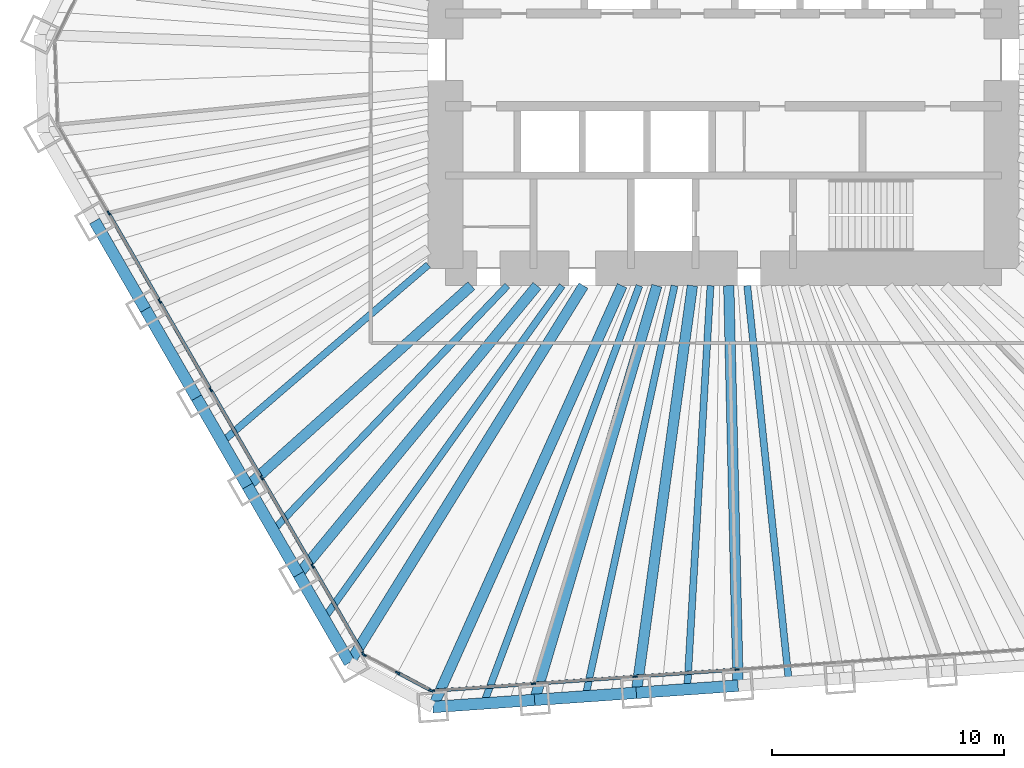
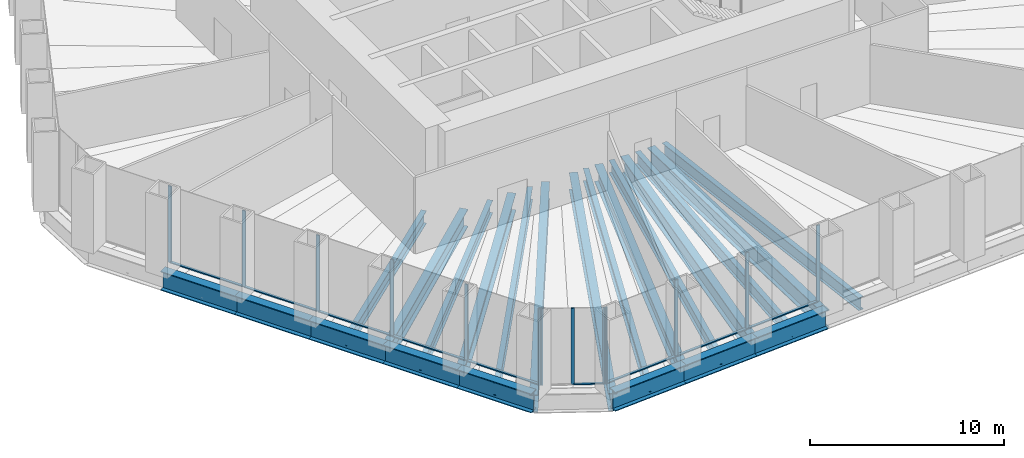
# One storey, part 2 of 13: 22 beams, 22 members, 3 elements without a shape of their own.
"""IFC4 building model written with IfcOpenShell, lengths in metres."""

import ifcopenshell
import ifcopenshell.guid

model = None  # the IFC model being written
_history = None  # IfcOwnerHistory: only IFC2X3 demands one
_inside = {}  # id of a spatial element -> (the spatial element, [elements in it])
_under = {}  # id of a project, library or spatial element -> (it, [spatial elements below it])
_declared = {}  # id of a project -> (the project, [libraries it declares])
_typed = {}  # id of a type object -> (the type object, [elements of that type])
_made_of = {}  # id of a material, layer set ... -> (it, [elements and type objects made of it])


def new_model(schema):
    """Start an empty IFC model of exactly this schema.

    Asked for "IFC4X3", IfcOpenShell would pick the latest addendum, in which some entities
    have other attributes; the version numbers below select the first issue.
    IFC2X3 requires an IfcOwnerHistory on every rooted entity: one is made here for all.
    """
    global model, _history
    if schema == "IFC4X3":
        model = ifcopenshell.file(schema_version=(4, 3, 0, 0))
    else:
        model = ifcopenshell.file(schema=schema)
    _inside.clear()
    _under.clear()
    _declared.clear()
    _typed.clear()
    _made_of.clear()
    _history = None
    if model.schema == "IFC2X3":
        org = make("IfcOrganization", Name="unknown")
        user = make(
            "IfcPersonAndOrganization",
            ThePerson=make("IfcPerson", FamilyName="unknown"),
            TheOrganization=org,
        )
        app = make(
            "IfcApplication",
            ApplicationDeveloper=org,
            Version="unknown",
            ApplicationFullName="unknown",
            ApplicationIdentifier="unknown",
        )
        _history = make(
            "IfcOwnerHistory",
            OwningUser=user,
            OwningApplication=app,
            ChangeAction="ADDED",
            CreationDate=0,
        )
    return model


def make(cls, **values):
    """One entity of the class cls with the attributes given. An attribute that is None is left unset."""
    return model.create_entity(
        cls, **{name: value for name, value in values.items() if value is not None}
    )


def rooted(cls, **values):
    """An entity with a GlobalId (a new one), such as an element, a storey or a relation."""
    return make(cls, GlobalId=ifcopenshell.guid.new(), OwnerHistory=_history, **values)


def si_unit(unit_type, name, prefix=None):
    """IfcSIUnit, for example si_unit("LENGTHUNIT", "METRE", prefix="MILLI")."""
    return make("IfcSIUnit", UnitType=unit_type, Prefix=prefix, Name=name)


def assignment(units):
    """IfcUnitAssignment: the units of a project."""
    return None if units is None else make("IfcUnitAssignment", Units=units)


def point(xyz):
    """IfcCartesianPoint."""
    return None if xyz is None else make("IfcCartesianPoint", Coordinates=xyz)


def direction(xyz):
    """IfcDirection."""
    return None if xyz is None else make("IfcDirection", DirectionRatios=xyz)


def frame(location, z_axis=None, x_axis=None):
    """IfcAxis2Placement3D, a coordinate frame: its origin and axes. An axis left out is left unset."""
    return make(
        "IfcAxis2Placement3D",
        Location=point(location),
        Axis=direction(z_axis),
        RefDirection=direction(x_axis),
    )


def frame_2d(location, x_axis=None):
    """IfcAxis2Placement2D, a coordinate frame in the plane: its origin and x axis."""
    return make(
        "IfcAxis2Placement2D", Location=point(location), RefDirection=direction(x_axis)
    )


def origin():
    """The frame at (0, 0, 0) with its axes left unset."""
    return frame((0.0, 0.0, 0.0))


def origin_2d():
    """The frame at (0, 0) in the plane with its x axis left unset."""
    return frame_2d((0.0, 0.0))


def place(relative_to, where):
    """IfcLocalPlacement: puts the frame where relative to a parent placement (None: the world)."""
    return make(
        "IfcLocalPlacement", PlacementRelTo=relative_to, RelativePlacement=where
    )


def context(
    kind, dimensions, precision=None, world=None, true_north=None, identifier=None
):
    """IfcGeometricRepresentationContext, for example the 3D "Model" context."""
    return make(
        "IfcGeometricRepresentationContext",
        ContextIdentifier=identifier,
        ContextType=kind,
        CoordinateSpaceDimension=dimensions,
        Precision=precision,
        WorldCoordinateSystem=world,
        TrueNorth=true_north,
    )


def subcontext(parent, identifier, kind, view, scale=None):
    """IfcGeometricRepresentationSubContext, for example "Body" below "Model"."""
    return make(
        "IfcGeometricRepresentationSubContext",
        ContextIdentifier=identifier,
        ContextType=kind,
        ParentContext=parent,
        TargetScale=scale,
        TargetView=view,
    )


def project(units=None, contexts=None):
    """IfcProject with its units and contexts."""
    return rooted(
        "IfcProject",
        Name="project",
        RepresentationContexts=contexts,
        UnitsInContext=assignment(units),
    )


def spatial(cls, under=None, at=None, **own):
    """A site, building, storey or space (cls), placed at a placement, below another one or the project."""
    s = rooted(cls, ObjectPlacement=at, **own)
    if under is not None:
        _under.setdefault(under.id(), (under, []))[1].append(s)
    return s


def profile(cls, at=None, kind="AREA", **sizes):
    """A parametric profile (cls). Its sizes go by their IFC names, for example OverallWidth=200.0."""
    return make(cls, ProfileType=kind, Position=at, **sizes)


def rectangle(**sizes):
    """IfcRectangleProfileDef."""
    return profile("IfcRectangleProfileDef", **sizes)


def i_section(**sizes):
    """IfcIShapeProfileDef."""
    return profile("IfcIShapeProfileDef", **sizes)


def extrude(swept, where, along, depth):
    """IfcExtrudedAreaSolid: the profile swept, set in the frame where, extruded along a direction by depth."""
    return make(
        "IfcExtrudedAreaSolid",
        SweptArea=swept,
        Position=where,
        ExtrudedDirection=direction(along),
        Depth=depth,
    )


def shape(context_of_items, identifier, shape_type, items):
    """IfcShapeRepresentation: the items that make up one representation, for example the "Body"."""
    return make(
        "IfcShapeRepresentation",
        ContextOfItems=context_of_items,
        RepresentationIdentifier=identifier,
        RepresentationType=shape_type,
        Items=items,
    )


def material(Name=None, Category=None):
    """IfcMaterial."""
    return make("IfcMaterial", Name=Name, Category=Category)


def material_profile(
    of_material, cross_section, Name=None, Category=None, Priority=None
):
    """IfcMaterialProfile: a cross section and its material."""
    return make(
        "IfcMaterialProfile",
        Name=Name,
        Material=of_material,
        Profile=cross_section,
        Priority=Priority,
        Category=Category,
    )


def profile_set(profiles, Name=None, composite=None):
    """IfcMaterialProfileSet."""
    return make(
        "IfcMaterialProfileSet",
        Name=Name,
        MaterialProfiles=profiles,
        CompositeProfile=composite,
    )


def made_of(thing, what):
    """Note that an element or type object is made of a material, layer set ...; save() writes the relation."""
    if what is not None:
        _made_of.setdefault(what.id(), (what, []))[1].append(thing)
    return thing


def type_object(cls, material=None, **own):
    """A type object (cls), such as IfcWallType, which elements share."""
    return made_of(rooted(cls, **own), material)


def element(
    cls,
    number,
    at=None,
    inside=None,
    cuts=None,
    type_object=None,
    material=None,
    context=None,
    identifier="Body",
    shape_type=None,
    held_by="IfcProductDefinitionShape",
    body=None,
    shapes=None,
    **own,
):
    """One element of the class cls, such as IfcWall. Its Tag is "e" and its number.

    at: its placement. inside: the storey or other place that contains it. cuts: it is an
    opening in that element (IfcRelVoidsElement). A single representation is given by context,
    identifier, shape_type and body (its items); several are given by shapes. held_by: the class
    of the entity that holds the representations. save() writes the other relations.
    """
    e = rooted(cls, Tag="e%d" % number, ObjectPlacement=at, **own)
    if body is not None:
        shapes = [shape(context, identifier, shape_type, body)]
    if shapes is not None:
        e.Representation = make(held_by, Representations=shapes)
    if inside is not None:
        _inside.setdefault(inside.id(), (inside, []))[1].append(e)
    if cuts is not None:
        rooted(
            "IfcRelVoidsElement", RelatingBuildingElement=cuts, RelatedOpeningElement=e
        )
    if type_object is not None:
        _typed.setdefault(type_object.id(), (type_object, []))[1].append(e)
    return made_of(e, material)


def aggregate(whole, parts):
    """IfcRelAggregates: a whole, such as a stair, and the parts it consists of."""
    return rooted("IfcRelAggregates", RelatingObject=whole, RelatedObjects=parts)


def save(model, path):
    """Write the relations noted so far, then the file.

    IfcRelAggregates (storeys below a building ...), IfcRelContainedInSpatialStructure (elements
    in a storey), IfcRelDefinesByType, IfcRelAssociatesMaterial and IfcRelDeclares: one each for
    every whole, place, type object, material and project.
    """
    for whole, parts in _under.values():
        aggregate(whole, parts)
    for where, things in _inside.values():
        rooted(
            "IfcRelContainedInSpatialStructure",
            RelatedElements=things,
            RelatingStructure=where,
        )
    for kind, things in _typed.values():
        rooted("IfcRelDefinesByType", RelatedObjects=things, RelatingType=kind)
    for what, things in _made_of.values():
        rooted("IfcRelAssociatesMaterial", RelatedObjects=things, RelatingMaterial=what)
    for by, libraries in _declared.values():
        rooted("IfcRelDeclares", RelatingContext=by, RelatedDefinitions=libraries)
    model.write(path)


model = new_model("IFC4")

# Units and contexts
model_context = context("Model", 3, precision=1e-05, world=origin(), true_north=direction((0.0, 1.0)))
body_context = subcontext(model_context, "Body", "Model", "MODEL_VIEW")
ifc_project = project(units=[si_unit("LENGTHUNIT", "METRE"), si_unit("AREAUNIT", "SQUARE_METRE"), si_unit("VOLUMEUNIT", "CUBIC_METRE"), si_unit("PLANEANGLEUNIT", "RADIAN"), si_unit("MASSUNIT", "GRAM", prefix="KILO")], contexts=[model_context])

# Site, building, storey
site_placement = place(None, origin())
site = spatial("IfcSite", under=ifc_project, at=site_placement, CompositionType="ELEMENT")
building_placement = place(site_placement, origin())
building = spatial("IfcBuilding", under=site, at=building_placement, Name="Qingtian Harvest Tower", CompositionType="ELEMENT")
storey_placement = place(building_placement, frame((0.0, 0.0, 27.0)))
storey = spatial("IfcBuildingStorey", under=building, at=storey_placement, Name="L05", CompositionType="ELEMENT", Elevation=27.0)

# Beams
ifc_material_1 = material(Name="Steel SM570MC", Category="steel")
ifc_material_profile_1 = material_profile(ifc_material_1, i_section(OverallWidth=0.449951171875, OverallDepth=1.10009765625, WebThickness=0.02197265625, FlangeThickness=0.044921875, at=origin_2d()), Name="H1100x450x22x45")
ifc_profile_set_1 = profile_set([ifc_material_profile_1], Name="Steel SM570MC")
beam_type_1 = type_object("IfcBeamType", Name="Corner floor beam FB8 H1100x450x22x45", PredefinedType="BEAM", material=ifc_profile_set_1)
beam_1_placement = place(storey_placement, frame((-12.552734375, -27.943603515625, -0.75), z_axis=(0.409769605538, 0.912189054077, 0.0), x_axis=(-0.912189054077, 0.409769605538, 0.0)))
element("IfcBeam", 1, at=beam_1_placement, inside=storey, type_object=beam_type_1, Name="Floor beam FB8 S6", PredefinedType="BEAM", context=body_context, shape_type="SweptSolid", body=[
    extrude(i_section(OverallWidth=0.449951171875, OverallDepth=1.10009765625, WebThickness=0.02197265625, FlangeThickness=0.044921875, at=origin_2d()), origin(), (0.0, 0.0, 1.0), 19.945068359375),
])
beam_2_placement = place(storey_placement, frame((-16.14697265625, -26.03271484375, -0.75), z_axis=(0.5270935495, 0.849807266429, 0.0), x_axis=(-0.849807266429, 0.5270935495, 0.0)))
element("IfcBeam", 2, at=beam_2_placement, inside=storey, type_object=beam_type_1, Name="Floor beam FB8 SW0", PredefinedType="BEAM", context=body_context, shape_type="SweptSolid", body=[
    extrude(i_section(OverallWidth=0.449951171875, OverallDepth=1.10009765625, WebThickness=0.02197265625, FlangeThickness=0.044921875, at=origin_2d()), origin(), (0.0, 0.0, 1.0), 19.160400390625),
])
ifc_material_2 = material(Name="Steel SM570MC", Category="steel")
ifc_material_profile_2 = material_profile(ifc_material_2, i_section(OverallWidth=0.449951171875, OverallDepth=1.10009765625, WebThickness=0.02197265625, FlangeThickness=0.044921875, at=origin_2d()), Name="H1100x450x22x45")
ifc_profile_set_2 = profile_set([ifc_material_profile_2], Name="Steel SM570MC")
beam_type_2 = type_object("IfcBeamType", Name="Floor beam FB1 H1100x450x22x45", PredefinedType="BEAM", material=ifc_profile_set_2)
beam_3_placement = place(storey_placement, frame((0.62890625, -27.02197265625, -0.75), z_axis=(-0.023274161941, 0.999729120005, 0.0), x_axis=(-0.999729120005, -0.023274161941, 0.0)))
element("IfcBeam", 3, at=beam_3_placement, inside=storey, type_object=beam_type_2, Name="Floor beam FB1 S3", PredefinedType="BEAM", context=body_context, shape_type="SweptSolid", body=[
    extrude(i_section(OverallWidth=0.449951171875, OverallDepth=1.10009765625, WebThickness=0.02197265625, FlangeThickness=0.044921875, at=origin_2d()), origin(), (0.0, 0.0, 1.0), 17.276611328125),
])
beam_4_placement = place(storey_placement, frame((-3.76513671875, -27.3291015625, -0.75), z_axis=(0.136480966577, 0.990642693287, 0.0), x_axis=(-0.990642693287, 0.136480966577, 0.0)))
element("IfcBeam", 4, at=beam_4_placement, inside=storey, type_object=beam_type_2, Name="Floor beam FB1 S4", PredefinedType="BEAM", context=body_context, shape_type="SweptSolid", body=[
    extrude(i_section(OverallWidth=0.449951171875, OverallDepth=1.10009765625, WebThickness=0.02197265625, FlangeThickness=0.044921875, at=origin_2d()), origin(), (0.0, 0.0, 1.0), 17.7451171875),
])
beam_5_placement = place(storey_placement, frame((-8.158935546875, -27.636474609375, -0.75), z_axis=(0.283142824758, 0.95907775534, 0.0), x_axis=(-0.95907775534, 0.283142824758, 0.0)))
element("IfcBeam", 5, at=beam_5_placement, inside=storey, type_object=beam_type_2, Name="Floor beam FB1 S5", PredefinedType="BEAM", context=body_context, shape_type="SweptSolid", body=[
    extrude(i_section(OverallWidth=0.449951171875, OverallDepth=1.10009765625, WebThickness=0.02197265625, FlangeThickness=0.044921875, at=origin_2d()), origin(), (0.0, 0.0, 1.0), 18.649658203125),
])
beam_6_placement = place(storey_placement, frame((-18.349365234375, -22.21826171875, -0.75), z_axis=(0.636780387972, 0.771045224026, 0.0), x_axis=(-0.771045224026, 0.636780387972, 0.0)))
element("IfcBeam", 6, at=beam_6_placement, inside=storey, type_object=beam_type_2, Name="Floor beam FB1 SW1", PredefinedType="BEAM", context=body_context, shape_type="SweptSolid", body=[
    extrude(i_section(OverallWidth=0.449951171875, OverallDepth=1.10009765625, WebThickness=0.02197265625, FlangeThickness=0.044921875, at=origin_2d()), origin(), (0.0, 0.0, 1.0), 16.170654296875),
])
beam_7_placement = place(storey_placement, frame((-20.551513671875, -18.403564453125, -0.75), z_axis=(0.744965104975, 0.667103434536, 0.0), x_axis=(-0.667103434536, 0.744965104975, 0.0)))
element("IfcBeam", 7, at=beam_7_placement, inside=storey, type_object=beam_type_2, Name="Floor beam FB1 SW2", PredefinedType="BEAM", context=body_context, shape_type="SweptSolid", body=[
    extrude(i_section(OverallWidth=0.449951171875, OverallDepth=1.10009765625, WebThickness=0.02197265625, FlangeThickness=0.044921875, at=origin_2d()), origin(), (0.0, 0.0, 1.0), 12.971923828125),
])
ifc_material_3 = material(Name="Steel SN490B", Category="steel")
ifc_material_profile_3 = material_profile(ifc_material_3, i_section(OverallWidth=0.300048828125, OverallDepth=0.800048828125, WebThickness=0.013916015625, FlangeThickness=0.02587890625, at=origin_2d()), Name="H800x300x14x26")
ifc_profile_set_3 = profile_set([ifc_material_profile_3], Name="Steel SN490B")
beam_type_3 = type_object("IfcBeamType", Name="Floor joist J1 H800x300x14x26", PredefinedType="JOIST", material=ifc_profile_set_3)
beam_8_placement = place(storey_placement, frame((2.82568359375, -26.868408203125, -0.60009765625), z_axis=(-0.104590278152, 0.99451539642, 0.0), x_axis=(-0.99451539642, -0.104590278152, 0.0)))
element("IfcBeam", 8, at=beam_8_placement, inside=storey, type_object=beam_type_3, Name="Floor joist J1 S2", PredefinedType="JOIST", context=body_context, shape_type="SweptSolid", body=[
    extrude(i_section(OverallWidth=0.300048828125, OverallDepth=0.800048828125, WebThickness=0.013916015625, FlangeThickness=0.02587890625, at=origin_2d()), origin(), (0.0, 0.0, 1.0), 17.212890625),
])
beam_9_placement = place(storey_placement, frame((-1.568115234375, -27.175537109375, -0.60009765625), z_axis=(0.057613424947, 0.998338967118, 0.0), x_axis=(-0.998338967118, 0.057613424947, 0.0)))
element("IfcBeam", 9, at=beam_9_placement, inside=storey, type_object=beam_type_3, Name="Floor joist J1 S3", PredefinedType="JOIST", context=body_context, shape_type="SweptSolid", body=[
    extrude(i_section(OverallWidth=0.300048828125, OverallDepth=0.800048828125, WebThickness=0.013916015625, FlangeThickness=0.02587890625, at=origin_2d()), origin(), (0.0, 0.0, 1.0), 17.45458984375),
])
beam_10_placement = place(storey_placement, frame((-5.9619140625, -27.48291015625, -0.60009765625), z_axis=(0.211992805661, 0.977271226604, 0.0), x_axis=(-0.977271226604, 0.211992805661, 0.0)))
element("IfcBeam", 10, at=beam_10_placement, inside=storey, type_object=beam_type_3, Name="Floor joist J1 S4", PredefinedType="JOIST", context=body_context, shape_type="SweptSolid", body=[
    extrude(i_section(OverallWidth=0.300048828125, OverallDepth=0.800048828125, WebThickness=0.013916015625, FlangeThickness=0.02587890625, at=origin_2d()), origin(), (0.0, 0.0, 1.0), 18.145263671875),
])
beam_11_placement = place(storey_placement, frame((-10.35595703125, -27.7900390625, -0.60009765625), z_axis=(0.349193741063, 0.937050548905, 0.0), x_axis=(-0.937050548905, 0.349193741063, 0.0)))
element("IfcBeam", 11, at=beam_11_placement, inside=storey, type_object=beam_type_3, Name="Floor joist J1 S5", PredefinedType="JOIST", context=body_context, shape_type="SweptSolid", body=[
    extrude(i_section(OverallWidth=0.300048828125, OverallDepth=0.800048828125, WebThickness=0.013916015625, FlangeThickness=0.02587890625, at=origin_2d()), origin(), (0.0, 0.0, 1.0), 19.251953125),
])
beam_12_placement = place(storey_placement, frame((-17.248046875, -24.12548828125, -0.60009765625), z_axis=(0.581580544546, 0.81348882611, 0.0), x_axis=(-0.81348882611, 0.581580544546, 0.0)))
element("IfcBeam", 12, at=beam_12_placement, inside=storey, type_object=beam_type_3, Name="Floor joist J1 SW0", PredefinedType="JOIST", context=body_context, shape_type="SweptSolid", body=[
    extrude(i_section(OverallWidth=0.300048828125, OverallDepth=0.800048828125, WebThickness=0.013916015625, FlangeThickness=0.02587890625, at=origin_2d()), origin(), (0.0, 0.0, 1.0), 17.67138671875),
])
beam_13_placement = place(storey_placement, frame((-19.450439453125, -20.31103515625, -0.60009765625), z_axis=(0.691639144398, 0.722243237377, 0.0), x_axis=(-0.722243237377, 0.691639144398, 0.0)))
element("IfcBeam", 13, at=beam_13_placement, inside=storey, type_object=beam_type_3, Name="Floor joist J1 SW1", PredefinedType="JOIST", context=body_context, shape_type="SweptSolid", body=[
    extrude(i_section(OverallWidth=0.300048828125, OverallDepth=0.800048828125, WebThickness=0.013916015625, FlangeThickness=0.02587890625, at=origin_2d()), origin(), (0.0, 0.0, 1.0), 14.62255859375),
])
beam_14_placement = place(storey_placement, frame((-21.652587890625, -16.496337890625, -0.60009765625), z_axis=(0.758605680154, 0.651550014994, 0.0), x_axis=(-0.651550014994, 0.758605680154, 0.0)))
element("IfcBeam", 14, at=beam_14_placement, inside=storey, type_object=beam_type_3, Name="Floor joist J1 SW2", PredefinedType="JOIST", context=body_context, shape_type="SweptSolid", body=[
    extrude(i_section(OverallWidth=0.300048828125, OverallDepth=0.800048828125, WebThickness=0.013916015625, FlangeThickness=0.02587890625, at=origin_2d()), origin(), (0.0, 0.0, 1.0), 11.7353515625),
])

# Curtain wall, members
ifc_material_4 = material(Name="Bronze-anodised aluminium curtain wall", Category="aluminium")
curtain_wall_type = type_object("IfcCurtainWallType", Name="Curtain wall CW2 farm reception", PredefinedType="USERDEFINED", material=ifc_material_4)
curtain_wall_1_placement = place(storey_placement, origin())
curtain_wall_1 = element("IfcCurtainWall", 15, at=curtain_wall_1_placement, inside=storey, type_object=curtain_wall_type, Name="Curtain wall CW2 L05 S0-5", ObjectType="RECESSED CURTAIN WALL", PredefinedType="USERDEFINED")
ifc_material_5 = material(Name="Bronze-anodised aluminium mullion", Category="aluminium")
ifc_material_profile_4 = material_profile(ifc_material_5, rectangle(XDim=0.06494140625, YDim=0.199951171875, at=origin_2d()), Name="AL 65x200")
ifc_profile_set_4 = profile_set([ifc_material_profile_4], Name="Bronze-anodised aluminium mullion")
member_type_1 = type_object("IfcMemberType", Name="Mullion CWM 65x200", PredefinedType="MULLION", material=ifc_profile_set_4)
member_1_placement = place(storey_placement, frame((0.580078125, -26.32373046875, 0.0), z_axis=(0.0, 0.0, 1.0), x_axis=(0.069756473744, -0.99756405026, 0.0)))
member_1 = element("IfcMember", 16, at=member_1_placement, type_object=member_type_1, Name="CW2 mullion 4", PredefinedType="MULLION", context=body_context, shape_type="SweptSolid", body=[
    extrude(rectangle(XDim=0.06494140625, YDim=0.199951171875, at=origin_2d()), origin(), (0.0, 0.0, 1.0), 4.800048828125),
])
member_2_placement = place(storey_placement, frame((-3.81396484375, -26.630859375, 0.0), z_axis=(0.0, 0.0, 1.0), x_axis=(0.069756473744, -0.99756405026, 0.0)))
member_2 = element("IfcMember", 17, at=member_2_placement, type_object=member_type_1, Name="CW2 mullion 5", PredefinedType="MULLION", context=body_context, shape_type="SweptSolid", body=[
    extrude(rectangle(XDim=0.06494140625, YDim=0.199951171875, at=origin_2d()), origin(), (0.0, 0.0, 1.0), 4.800048828125),
])
member_3_placement = place(storey_placement, frame((-8.207763671875, -26.938232421875, 0.0), z_axis=(0.0, 0.0, 1.0), x_axis=(0.069756473744, -0.99756405026, 0.0)))
member_3 = element("IfcMember", 18, at=member_3_placement, type_object=member_type_1, Name="CW2 mullion 6", PredefinedType="MULLION", context=body_context, shape_type="SweptSolid", body=[
    extrude(rectangle(XDim=0.06494140625, YDim=0.199951171875, at=origin_2d()), origin(), (0.0, 0.0, 1.0), 4.800048828125),
])
member_4_placement = place(storey_placement, frame((-12.569091796875, -27.2431640625, 0.0), z_axis=(0.0, 0.0, 1.0), x_axis=(0.069756473744, -0.99756405026, 0.0)))
member_4 = element("IfcMember", 19, at=member_4_placement, type_object=member_type_1, Name="CW2 mullion 7", PredefinedType="MULLION", context=body_context, shape_type="SweptSolid", body=[
    extrude(rectangle(XDim=0.06494140625, YDim=0.199951171875, at=origin_2d()), origin(), (0.0, 0.0, 1.0), 4.800048828125),
])

curtain_wall_2_placement = place(storey_placement, origin())
curtain_wall_2 = element("IfcCurtainWall", 20, at=curtain_wall_2_placement, inside=storey, type_object=curtain_wall_type, Name="Curtain wall CW2 L05 SC", ObjectType="RECESSED CURTAIN WALL", PredefinedType="USERDEFINED")
member_5_placement = place(storey_placement, frame((-12.63037109375, -27.230224609375, 0.0), z_axis=(0.0, 0.0, 1.0), x_axis=(-0.469471562786, -0.882947592859, 0.0)))
member_5 = element("IfcMember", 21, at=member_5_placement, type_object=member_type_1, Name="CW2 mullion 1", PredefinedType="MULLION", context=body_context, shape_type="SweptSolid", body=[
    extrude(rectangle(XDim=0.06494140625, YDim=0.199951171875, at=origin_2d()), origin(), (0.0, 0.0, 1.0), 4.800048828125),
])
member_6_placement = place(storey_placement, frame((-14.0712890625, -26.464111328125, 0.0), z_axis=(0.0, 0.0, 1.0), x_axis=(-0.469471562786, -0.882947592859, 0.0)))
member_6 = element("IfcMember", 22, at=member_6_placement, type_object=member_type_1, Name="CW2 mullion 2", PredefinedType="MULLION", context=body_context, shape_type="SweptSolid", body=[
    extrude(rectangle(XDim=0.06494140625, YDim=0.199951171875, at=origin_2d()), origin(), (0.0, 0.0, 1.0), 4.800048828125),
])
member_7_placement = place(storey_placement, frame((-15.511962890625, -25.697998046875, 0.0), z_axis=(0.0, 0.0, 1.0), x_axis=(-0.469471562786, -0.882947592859, 0.0)))
member_7 = element("IfcMember", 23, at=member_7_placement, type_object=member_type_1, Name="CW2 mullion 3", PredefinedType="MULLION", context=body_context, shape_type="SweptSolid", body=[
    extrude(rectangle(XDim=0.06494140625, YDim=0.199951171875, at=origin_2d()), origin(), (0.0, 0.0, 1.0), 4.800048828125),
])

curtain_wall_3_placement = place(storey_placement, origin())
curtain_wall_3 = element("IfcCurtainWall", 24, at=curtain_wall_3_placement, inside=storey, type_object=curtain_wall_type, Name="Curtain wall CW2 L05 SW0-5", ObjectType="RECESSED CURTAIN WALL", PredefinedType="USERDEFINED")
member_8_placement = place(storey_placement, frame((-15.556884765625, -25.654541015625, 0.0), z_axis=(0.0, 0.0, 1.0), x_axis=(-0.866025403784, -0.5, 0.0)))
member_8 = element("IfcMember", 25, at=member_8_placement, type_object=member_type_1, Name="CW2 mullion 1", PredefinedType="MULLION", context=body_context, shape_type="SweptSolid", body=[
    extrude(rectangle(XDim=0.06494140625, YDim=0.199951171875, at=origin_2d()), origin(), (0.0, 0.0, 1.0), 4.800048828125),
])
member_9_placement = place(storey_placement, frame((-17.742919921875, -21.8681640625, 0.0), z_axis=(0.0, 0.0, 1.0), x_axis=(-0.866025403784, -0.5, 0.0)))
member_9 = element("IfcMember", 26, at=member_9_placement, type_object=member_type_1, Name="CW2 mullion 2", PredefinedType="MULLION", context=body_context, shape_type="SweptSolid", body=[
    extrude(rectangle(XDim=0.06494140625, YDim=0.199951171875, at=origin_2d()), origin(), (0.0, 0.0, 1.0), 4.800048828125),
])
member_10_placement = place(storey_placement, frame((-19.9453125, -18.0537109375, 0.0), z_axis=(0.0, 0.0, 1.0), x_axis=(-0.866025403784, -0.5, 0.0)))
member_10 = element("IfcMember", 27, at=member_10_placement, type_object=member_type_1, Name="CW2 mullion 3", PredefinedType="MULLION", context=body_context, shape_type="SweptSolid", body=[
    extrude(rectangle(XDim=0.06494140625, YDim=0.199951171875, at=origin_2d()), origin(), (0.0, 0.0, 1.0), 4.800048828125),
])
member_11_placement = place(storey_placement, frame((-22.147705078125, -14.2392578125, 0.0), z_axis=(0.0, 0.0, 1.0), x_axis=(-0.866025403784, -0.5, 0.0)))
member_11 = element("IfcMember", 28, at=member_11_placement, type_object=member_type_1, Name="CW2 mullion 4", PredefinedType="MULLION", context=body_context, shape_type="SweptSolid", body=[
    extrude(rectangle(XDim=0.06494140625, YDim=0.199951171875, at=origin_2d()), origin(), (0.0, 0.0, 1.0), 4.800048828125),
])
member_12_placement = place(storey_placement, frame((-24.349853515625, -10.424560546875, 0.0), z_axis=(0.0, 0.0, 1.0), x_axis=(-0.866025403784, -0.5, 0.0)))
member_12 = element("IfcMember", 29, at=member_12_placement, type_object=member_type_1, Name="CW2 mullion 5", PredefinedType="MULLION", context=body_context, shape_type="SweptSolid", body=[
    extrude(rectangle(XDim=0.06494140625, YDim=0.199951171875, at=origin_2d()), origin(), (0.0, 0.0, 1.0), 4.800048828125),
])
member_13_placement = place(storey_placement, frame((-26.55224609375, -6.610107421875, 0.0), z_axis=(0.0, 0.0, 1.0), x_axis=(-0.866025403784, -0.5, 0.0)))
member_13 = element("IfcMember", 30, at=member_13_placement, type_object=member_type_1, Name="CW2 mullion 6", PredefinedType="MULLION", context=body_context, shape_type="SweptSolid", body=[
    extrude(rectangle(XDim=0.06494140625, YDim=0.199951171875, at=origin_2d()), origin(), (0.0, 0.0, 1.0), 4.800048828125),
])

# Beams
ifc_material_6 = material(Name="Steel SM570MC", Category="steel")
ifc_material_profile_5 = material_profile(ifc_material_6, i_section(OverallWidth=0.5, OverallDepth=1.199951171875, WebThickness=0.02490234375, FlangeThickness=0.050048828125, at=origin_2d()), Name="H1200x500x25x50")
ifc_profile_set_5 = profile_set([ifc_material_profile_5], Name="Steel SM570MC")
beam_type_4 = type_object("IfcBeamType", Name="Spandrel beam SB1 H1200x500x25x50", PredefinedType="SPANDREL", material=ifc_profile_set_5)
beam_15_placement = place(storey_placement, frame((0.62890625, -27.02197265625, -0.60009765625), z_axis=(-0.997566143208, -0.069726536735, 0.0), x_axis=(0.069726536735, -0.997566143208, 0.0)))
element("IfcBeam", 31, at=beam_15_placement, inside=storey, type_object=beam_type_4, Name="Spandrel SB1 S3", PredefinedType="SPANDREL", context=body_context, shape_type="SweptSolid", body=[
    extrude(i_section(OverallWidth=0.5, OverallDepth=1.199951171875, WebThickness=0.02490234375, FlangeThickness=0.050048828125, at=origin_2d()), origin(), (0.0, 0.0, 1.0), 4.40478515625),
])
for number, where, z_axis, x_axis, name in (
    (32, (-3.76513671875, -27.3291015625, -0.60009765625), (-0.997562016486, -0.069785551967, 0.0), (0.069785551967, -0.997562016486, 0.0), "Spandrel SB1 S4"),
    (33, (-8.158935546875, -27.636474609375, -0.60009765625), (-0.997565873714, -0.069730392239, 0.0), (0.069730392239, -0.997565873714, 0.0), "Spandrel SB1 S5"),
    (34, (-16.14697265625, -26.03271484375, -0.60009765625), (-0.50001992892, 0.866013897511, 0.0), (-0.866013897511, -0.50001992892, 0.0), "Spandrel SB1 SW0"),
):
    element("IfcBeam", number, at=place(storey_placement, frame(where, z_axis=z_axis, x_axis=x_axis)), inside=storey, type_object=beam_type_4, Name=name, PredefinedType="SPANDREL", context=body_context, shape_type="SweptSolid", body=[
        extrude(i_section(OverallWidth=0.5, OverallDepth=1.199951171875, WebThickness=0.02490234375, FlangeThickness=0.050048828125, at=origin_2d()), origin(), (0.0, 0.0, 1.0), 4.404541015625),
    ])
beam_16_placement = place(storey_placement, frame((-18.349365234375, -22.21826171875, -0.60009765625), z_axis=(-0.499954356739, 0.86605175433, 0.0), x_axis=(-0.86605175433, -0.499954356739, 0.0)))
element("IfcBeam", 35, at=beam_16_placement, inside=storey, type_object=beam_type_4, Name="Spandrel SB1 SW1", PredefinedType="SPANDREL", context=body_context, shape_type="SweptSolid", body=[
    extrude(i_section(OverallWidth=0.5, OverallDepth=1.199951171875, WebThickness=0.02490234375, FlangeThickness=0.050048828125, at=origin_2d()), origin(), (0.0, 0.0, 1.0), 4.40478515625),
])
for number, where, z_axis, x_axis, name in (
    (36, (-20.551513671875, -18.403564453125, -0.60009765625), (-0.50001992892, 0.866013897511, 0.0), (-0.866013897511, -0.50001992892, 0.0), "Spandrel SB1 SW2"),
    (37, (-22.75390625, -14.589111328125, -0.60009765625), (-0.499978356969, 0.866037899034, 0.0), (-0.866037899034, -0.499978356969, 0.0), "Spandrel SB1 SW3"),
    (38, (-24.9560546875, -10.774658203125, -0.60009765625), (-0.50001992892, 0.866013897511, 0.0), (-0.866013897511, -0.50001992892, 0.0), "Spandrel SB1 SW4"),
):
    element("IfcBeam", number, at=place(storey_placement, frame(where, z_axis=z_axis, x_axis=x_axis)), inside=storey, type_object=beam_type_4, Name=name, PredefinedType="SPANDREL", context=body_context, shape_type="SweptSolid", body=[
        extrude(i_section(OverallWidth=0.5, OverallDepth=1.199951171875, WebThickness=0.02490234375, FlangeThickness=0.050048828125, at=origin_2d()), origin(), (0.0, 0.0, 1.0), 4.404541015625),
    ])

# Member
ifc_material_7 = material(Name="Bronze-anodised aluminium transom", Category="aluminium")
ifc_material_profile_6 = material_profile(ifc_material_7, rectangle(XDim=0.14990234375, YDim=0.06494140625, at=origin_2d()), Name="AL 65x150")
ifc_profile_set_6 = profile_set([ifc_material_profile_6], Name="Bronze-anodised aluminium transom")
member_type_2 = type_object("IfcMemberType", Name="Transom CWT 65x150", PredefinedType="USERDEFINED", material=ifc_profile_set_6)
member_14_placement = place(storey_placement, frame((0.547607421875, -26.325927734375, 0.032470703125), z_axis=(-0.997563824095, -0.069759707979, 0.0), x_axis=(0.069759707979, -0.997563824095, 0.0)))
member_14 = element("IfcMember", 39, at=member_14_placement, type_object=member_type_2, Name="CW2 transom 4.1", ObjectType="TRANSOM", PredefinedType="USERDEFINED", context=body_context, shape_type="SweptSolid", body=[
    extrude(rectangle(XDim=0.14990234375, YDim=0.06494140625, at=origin_2d()), origin(), (0.0, 0.0, 1.0), 4.339599609375),
])

member_15_placement = place(storey_placement, frame((-3.84619140625, -26.63330078125, 0.032470703125), z_axis=(-0.997567737508, -0.069703723594, 0.0), x_axis=(0.069703723594, -0.997567737508, 0.0)))
member_15 = element("IfcMember", 40, at=member_15_placement, type_object=member_type_2, Name="CW2 transom 5.1", ObjectType="TRANSOM", PredefinedType="USERDEFINED", context=body_context, shape_type="SweptSolid", body=[
    extrude(rectangle(XDim=0.14990234375, YDim=0.06494140625, at=origin_2d()), origin(), (0.0, 0.0, 1.0), 4.339599609375),
])

member_16_placement = place(storey_placement, frame((-8.240234375, -26.9404296875, 0.032470703125), z_axis=(-0.997562637827, -0.069776669536, 0.0), x_axis=(0.069776669536, -0.997562637827, 0.0)))
member_16 = element("IfcMember", 41, at=member_16_placement, type_object=member_type_2, Name="CW2 transom 6.1", ObjectType="TRANSOM", PredefinedType="USERDEFINED", context=body_context, shape_type="SweptSolid", body=[
    extrude(rectangle(XDim=0.14990234375, YDim=0.06494140625, at=origin_2d()), origin(), (0.0, 0.0, 1.0), 4.30712890625),
])

aggregate(curtain_wall_1, [member_1, member_2, member_3, member_4, member_14, member_15, member_16])

member_17_placement = place(storey_placement, frame((-12.658935546875, -27.21484375, 0.032470703125), z_axis=(-0.882960338349, 0.46944759122, 0.0), x_axis=(-0.46944759122, -0.882960338349, 0.0)))
member_17 = element("IfcMember", 42, at=member_17_placement, type_object=member_type_2, Name="CW2 transom 1.1", ObjectType="TRANSOM", PredefinedType="USERDEFINED", context=body_context, shape_type="SweptSolid", body=[
    extrude(rectangle(XDim=0.14990234375, YDim=0.06494140625, at=origin_2d()), origin(), (0.0, 0.0, 1.0), 1.56689453125),
])

aggregate(curtain_wall_2, [member_5, member_6, member_7, member_17])

member_18_placement = place(storey_placement, frame((-15.5732421875, -25.62646484375, 0.032470703125), z_axis=(-0.499985768833, 0.866033619997, 0.0), x_axis=(-0.866033619997, -0.499985768833, 0.0)))
member_18 = element("IfcMember", 43, at=member_18_placement, type_object=member_type_2, Name="CW2 transom 1.1", ObjectType="TRANSOM", PredefinedType="USERDEFINED", context=body_context, shape_type="SweptSolid", body=[
    extrude(rectangle(XDim=0.14990234375, YDim=0.06494140625, at=origin_2d()), origin(), (0.0, 0.0, 1.0), 4.307373046875),
])

member_19_placement = place(storey_placement, frame((-17.75927734375, -21.840087890625, 0.032470703125), z_axis=(-0.500011390128, 0.866018827591, 0.0), x_axis=(-0.866018827591, -0.500011390128, 0.0)))
member_19 = element("IfcMember", 44, at=member_19_placement, type_object=member_type_2, Name="CW2 transom 2.1", ObjectType="TRANSOM", PredefinedType="USERDEFINED", context=body_context, shape_type="SweptSolid", body=[
    extrude(rectangle(XDim=0.14990234375, YDim=0.06494140625, at=origin_2d()), origin(), (0.0, 0.0, 1.0), 4.33984375),
])

member_20_placement = place(storey_placement, frame((-19.961669921875, -18.025634765625, 0.032470703125), z_axis=(-0.499969196308, 0.866043187574, 0.0), x_axis=(-0.866043187574, -0.499969196308, 0.0)))
member_20 = element("IfcMember", 45, at=member_20_placement, type_object=member_type_2, Name="CW2 transom 3.1", ObjectType="TRANSOM", PredefinedType="USERDEFINED", context=body_context, shape_type="SweptSolid", body=[
    extrude(rectangle(XDim=0.14990234375, YDim=0.06494140625, at=origin_2d()), origin(), (0.0, 0.0, 1.0), 4.339599609375),
])

member_21_placement = place(storey_placement, frame((-22.163818359375, -14.2109375, 0.032470703125), z_axis=(-0.500035751442, 0.866004761696, 0.0), x_axis=(-0.866004761696, -0.500035751442, 0.0)))
member_21 = element("IfcMember", 46, at=member_21_placement, type_object=member_type_2, Name="CW2 transom 4.1", ObjectType="TRANSOM", PredefinedType="USERDEFINED", context=body_context, shape_type="SweptSolid", body=[
    extrude(rectangle(XDim=0.14990234375, YDim=0.06494140625, at=origin_2d()), origin(), (0.0, 0.0, 1.0), 4.339599609375),
])

member_22_placement = place(storey_placement, frame((-24.3662109375, -10.396484375, 0.032470703125), z_axis=(-0.499993556937, 0.866029123656, 0.0), x_axis=(-0.866029123656, -0.499993556937, 0.0)))
member_22 = element("IfcMember", 47, at=member_22_placement, type_object=member_type_2, Name="CW2 transom 5.1", ObjectType="TRANSOM", PredefinedType="USERDEFINED", context=body_context, shape_type="SweptSolid", body=[
    extrude(rectangle(XDim=0.14990234375, YDim=0.06494140625, at=origin_2d()), origin(), (0.0, 0.0, 1.0), 4.33935546875),
])

aggregate(curtain_wall_3, [member_8, member_9, member_10, member_11, member_12, member_13, member_18, member_19, member_20, member_21, member_22])

save(model, "model.ifc")
